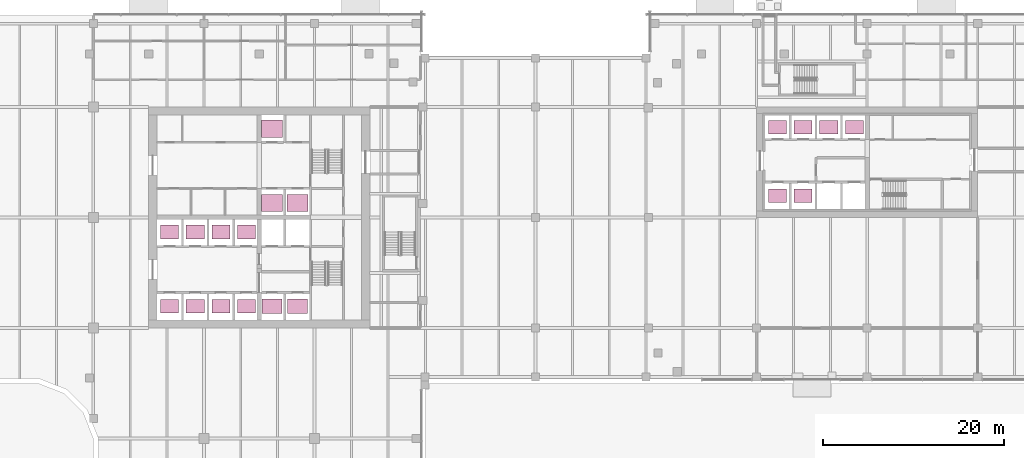
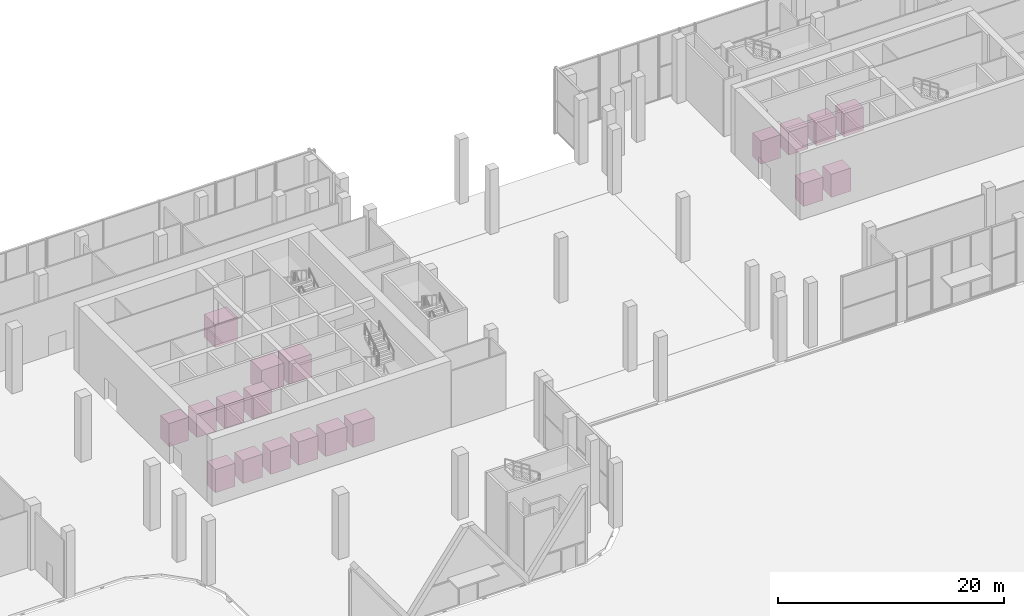
# One storey, part 36 of 36: 19 transport elements.
"""IFC4 building model written with IfcOpenShell, lengths in metres."""

from ifc_helpers import new_model, si_unit, direction, frame, origin, origin_2d, place, context, subcontext, project, spatial, rectangle, extrude, material, type_object, element, save


model = new_model("IFC4")

# Units and contexts
model_context = context("Model", 3, precision=1e-05, world=origin(), true_north=direction((0.0, 1.0)))
body_context = subcontext(model_context, "Body", "Model", "MODEL_VIEW")
ifc_project = project(units=[si_unit("LENGTHUNIT", "METRE"), si_unit("AREAUNIT", "SQUARE_METRE"), si_unit("VOLUMEUNIT", "CUBIC_METRE"), si_unit("PLANEANGLEUNIT", "RADIAN"), si_unit("MASSUNIT", "GRAM", prefix="KILO")], contexts=[model_context])

# Site, building, storey
site_placement = place(None, origin())
site = spatial("IfcSite", under=ifc_project, at=site_placement, CompositionType="ELEMENT")
building_placement = place(site_placement, origin())
building = spatial("IfcBuilding", under=site, at=building_placement, Name="Tessera Gate Towers", CompositionType="ELEMENT")
storey_placement = place(building_placement, origin())
storey = spatial("IfcBuildingStorey", under=building, at=storey_placement, Name="L00", CompositionType="ELEMENT", Elevation=0.0)

# Transport elements
ifc_material_1 = material(Name="Stainless steel", Category="steel")
transport_element_type_1 = type_object("IfcTransportElementType", Name="LIFT CAR 2000x1500 GL", PredefinedType="ELEVATOR", material=ifc_material_1)
for number, where, z_axis, x_axis, name in (
    (1, (99.91259765625, 39.0, 0.0), (0.0, 0.0, 1.0), (1.0, 0.0, 0.0), "Gate Tower Passenger Lift TL1"),
    (2, (102.737548828125, 39.0, 0.0), (0.0, 0.0, 1.0), (1.0, 0.0, 0.0), "Gate Tower Passenger Lift TL2"),
    (3, (99.91259765625, 46.550048828125, 0.0), (0.0, 0.0, 1.0), (1.0, 0.0, 0.0), "Gate Tower Passenger Lift TL3"),
    (4, (102.737548828125, 46.550048828125, 0.0), (0.0, 0.0, 1.0), (1.0, 0.0, 0.0), "Gate Tower Passenger Lift TL4"),
    (5, (105.5625, 46.550048828125, 0.0), (0.0, 0.0, 1.0), (1.0, 0.0, 0.0), "Gate Tower Passenger Lift TL5"),
    (6, (108.387451171875, 46.550048828125, 0.0), (0.0, 0.0, 1.0), (1.0, 0.0, 0.0), "Gate Tower Passenger Lift TL6"),
):
    element("IfcTransportElement", number, at=place(storey_placement, frame(where, z_axis=z_axis, x_axis=x_axis)), inside=storey, type_object=transport_element_type_1, Name=name, PredefinedType="ELEVATOR", context=body_context, shape_type="SweptSolid", body=[
        extrude(rectangle(XDim=2.0, YDim=1.5, at=origin_2d()), origin(), (0.0, 0.0, 1.0), 2.5),
    ])
ifc_material_2 = material(Name="Stainless steel", Category="steel")
transport_element_type_2 = type_object("IfcTransportElementType", Name="LIFT CAR 2000x1500 LR", PredefinedType="ELEVATOR", material=ifc_material_2)
for number, where, z_axis, x_axis, name in (
    (7, (32.8125, 26.800048828125, 0.0), (0.0, 0.0, 1.0), (1.0, 0.0, 0.0), "Low-rise Passenger Lift LR1"),
    (8, (35.637451171875, 26.800048828125, 0.0), (0.0, 0.0, 1.0), (1.0, 0.0, 0.0), "Low-rise Passenger Lift LR2"),
    (9, (38.46240234375, 26.800048828125, 0.0), (0.0, 0.0, 1.0), (1.0, 0.0, 0.0), "Low-rise Passenger Lift LR3"),
    (10, (41.28759765625, 26.800048828125, 0.0), (0.0, 0.0, 1.0), (1.0, 0.0, 0.0), "Low-rise Passenger Lift LR4"),
    (11, (32.8125, 35.0, 0.0), (0.0, 0.0, 1.0), (1.0, 0.0, 0.0), "Low-rise Passenger Lift LR5"),
    (12, (35.637451171875, 35.0, 0.0), (0.0, 0.0, 1.0), (1.0, 0.0, 0.0), "Low-rise Passenger Lift LR6"),
    (13, (38.46240234375, 35.0, 0.0), (0.0, 0.0, 1.0), (1.0, 0.0, 0.0), "Low-rise Passenger Lift LR7"),
    (14, (41.28759765625, 35.0, 0.0), (0.0, 0.0, 1.0), (1.0, 0.0, 0.0), "Low-rise Passenger Lift LR8"),
):
    element("IfcTransportElement", number, at=place(storey_placement, frame(where, z_axis=z_axis, x_axis=x_axis)), inside=storey, type_object=transport_element_type_2, Name=name, PredefinedType="ELEVATOR", context=body_context, shape_type="SweptSolid", body=[
        extrude(rectangle(XDim=2.0, YDim=1.5, at=origin_2d()), origin(), (0.0, 0.0, 1.0), 2.5),
    ])
ifc_material_3 = material(Name="Stainless steel", Category="steel")
transport_element_type_3 = type_object("IfcTransportElementType", Name="LIFT CAR 2200x1600 OB", PredefinedType="ELEVATOR", material=ifc_material_3)
for number, where, z_axis, x_axis, name in (
    (15, (44.112548828125, 26.800048828125, 0.0), (0.0, 0.0, 1.0), (1.0, 0.0, 0.0), "Observation Express Lift OB1"),
    (16, (46.9375, 26.800048828125, 0.0), (0.0, 0.0, 1.0), (1.0, 0.0, 0.0), "Observation Express Lift OB2"),
):
    element("IfcTransportElement", number, at=place(storey_placement, frame(where, z_axis=z_axis, x_axis=x_axis)), inside=storey, type_object=transport_element_type_3, Name=name, PredefinedType="ELEVATOR", context=body_context, shape_type="SweptSolid", body=[
        extrude(rectangle(XDim=2.199951171875, YDim=1.60009765625, at=origin_2d()), origin(), (0.0, 0.0, 1.0), 2.5),
    ])
ifc_material_4 = material(Name="Stainless steel", Category="steel")
transport_element_type_4 = type_object("IfcTransportElementType", Name="LIFT CAR 2300x1900 SH", PredefinedType="ELEVATOR", material=ifc_material_4)
for number, where, z_axis, x_axis, name in (
    (17, (44.112548828125, 38.199951171875, 0.0), (0.0, 0.0, 1.0), (1.0, 0.0, 0.0), "Sky Lobby Shuttle Lift SH1"),
    (18, (46.9375, 38.199951171875, 0.0), (0.0, 0.0, 1.0), (1.0, 0.0, 0.0), "Sky Lobby Shuttle Lift SH2"),
    (19, (44.112548828125, 46.39990234375, 0.0), (0.0, 0.0, 1.0), (1.0, 0.0, 0.0), "Sky Lobby Shuttle Lift SH3"),
):
    element("IfcTransportElement", number, at=place(storey_placement, frame(where, z_axis=z_axis, x_axis=x_axis)), inside=storey, type_object=transport_element_type_4, Name=name, PredefinedType="ELEVATOR", context=body_context, shape_type="SweptSolid", body=[
        extrude(rectangle(XDim=2.300048828125, YDim=1.89990234375, at=origin_2d()), origin(), (0.0, 0.0, 1.0), 2.5),
    ])

save(model, "model.ifc")
